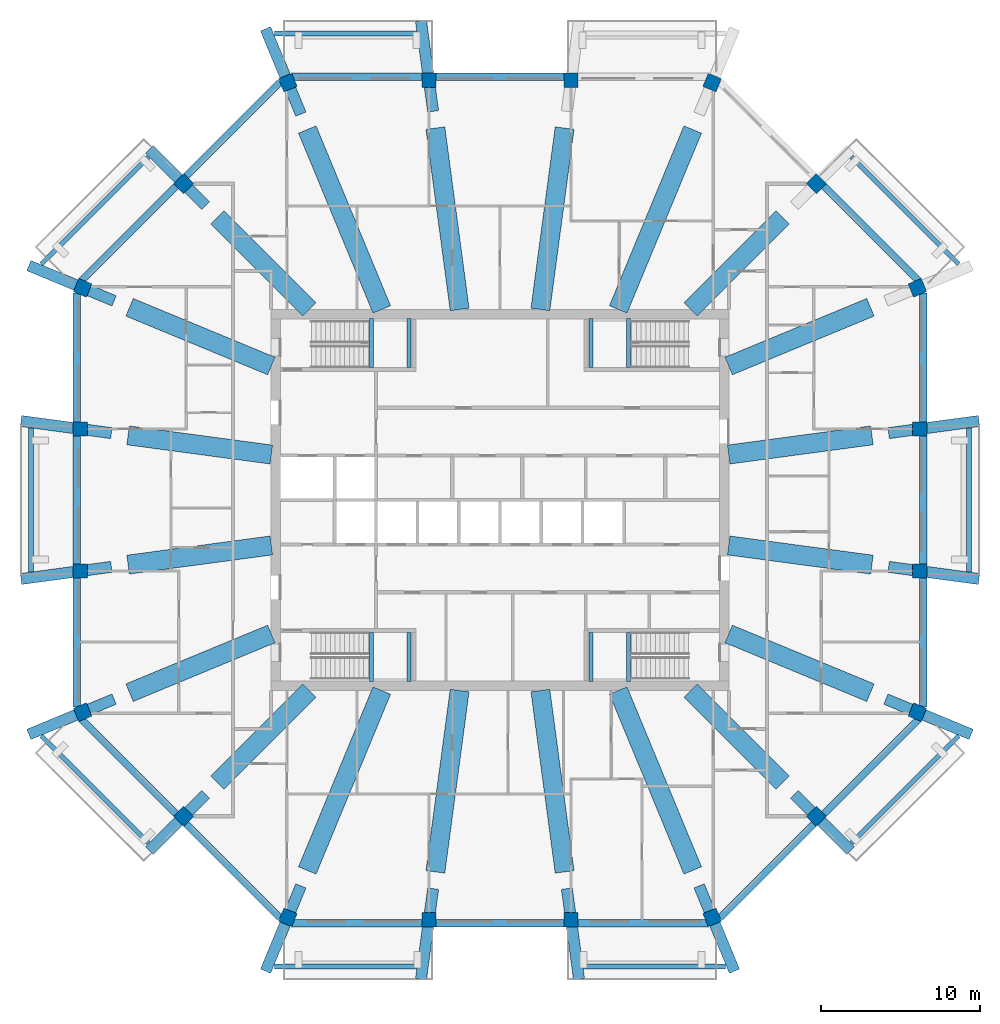
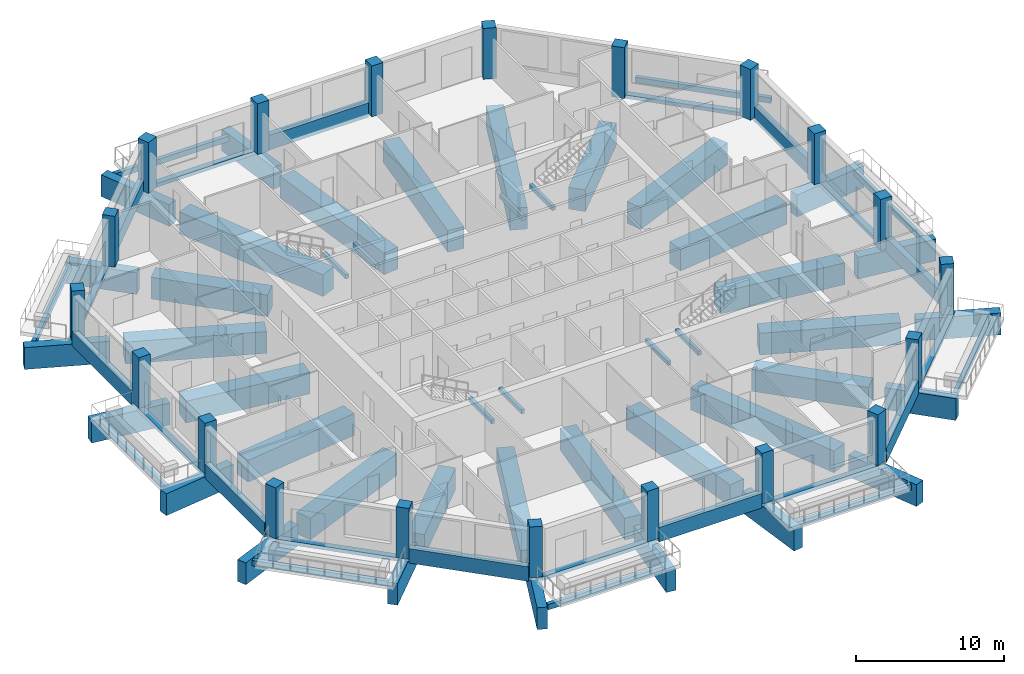
# One storey, part 1 of 12: 71 beams, 20 columns.
"""IFC4 building model written with IfcOpenShell, lengths in metres."""

from ifc_helpers import new_model, si_unit, direction, frame, origin, origin_2d, place, context, subcontext, project, spatial, rectangle, extrude, material, material_profile, profile_set, type_object, element, save


model = new_model("IFC4")

# Units and contexts
model_context = context("Model", 3, precision=1e-05, world=origin(), true_north=direction((0.0, 1.0)))
body_context = subcontext(model_context, "Body", "Model", "MODEL_VIEW")
ifc_project = project(units=[si_unit("LENGTHUNIT", "METRE"), si_unit("AREAUNIT", "SQUARE_METRE"), si_unit("VOLUMEUNIT", "CUBIC_METRE"), si_unit("PLANEANGLEUNIT", "RADIAN"), si_unit("MASSUNIT", "GRAM", prefix="KILO")], contexts=[model_context])

# Site, building, storey
site_placement = place(None, origin())
site = spatial("IfcSite", under=ifc_project, at=site_placement, CompositionType="ELEMENT")
building_placement = place(site_placement, origin())
building = spatial("IfcBuilding", under=site, at=building_placement, Name="Msitu Wima Residences", CompositionType="ELEMENT")
storey_placement = place(building_placement, frame((0.0, 0.0, 213.89990234375)))
storey = spatial("IfcBuildingStorey", under=building, at=storey_placement, Name="L49", CompositionType="ELEMENT", Elevation=213.89990234375)

# Columns
ifc_material_1 = material(Name="Concrete C50/60", Category="concrete")
ifc_material_profile_1 = material_profile(ifc_material_1, rectangle(XDim=0.89990234375, YDim=0.89990234375, at=origin_2d()), Name="RC 900x900")
ifc_profile_set_1 = profile_set([ifc_material_profile_1], Name="Concrete C50/60")
column_type = type_object("IfcColumnType", Name="Column RC 900x900 Concrete C50/60", PredefinedType="COLUMN", material=ifc_profile_set_1)
for number, where, z_axis, x_axis, name in (
    (1, (26.261962890625, -13.3486328125, 0.0), (0.0, 0.0, 1.0), (0.382683496864, 0.923879505795, 0.0), "Column L49 C-E0"),
    (2, (26.39990234375, -4.46875, 0.0), (0.0, 0.0, 1.0), (0.0, 1.0, 0.0), "Column L49 C-E1"),
    (3, (26.39990234375, 4.46875, 0.0), (0.0, 0.0, 1.0), (0.0, 1.0, 0.0), "Column L49 C-E2"),
    (4, (26.261962890625, 13.3486328125, 0.0), (0.0, 0.0, 1.0), (-0.382683496864, 0.923879505795, 0.0), "Column L49 C-NE0"),
    (5, (19.90283203125, 19.90283203125, 0.0), (0.0, 0.0, 1.0), (-0.707106781187, 0.707106781187, 0.0), "Column L49 C-NE1"),
    (6, (13.3486328125, 26.261962890625, 0.0), (0.0, 0.0, 1.0), (-0.923879505795, 0.382683496864, 0.0), "Column L49 C-N0"),
    (7, (4.46875, 26.39990234375, 0.0), (0.0, 0.0, 1.0), (-1.0, 0.0, 0.0), "Column L49 C-N1"),
    (8, (-4.46875, 26.39990234375, 0.0), (0.0, 0.0, 1.0), (-1.0, 0.0, 0.0), "Column L49 C-N2"),
    (9, (-13.3486328125, 26.261962890625, 0.0), (0.0, 0.0, 1.0), (-0.923879505795, -0.382683496864, 0.0), "Column L49 C-NW0"),
    (10, (-19.90283203125, 19.90283203125, 0.0), (0.0, 0.0, 1.0), (-0.707106781187, -0.707106781187, 0.0), "Column L49 C-NW1"),
    (11, (-26.261962890625, 13.3486328125, 0.0), (0.0, 0.0, 1.0), (-0.382683496864, -0.923879505795, 0.0), "Column L49 C-W0"),
    (12, (-26.39990234375, 4.46875, 0.0), (0.0, 0.0, 1.0), (0.0, -1.0, 0.0), "Column L49 C-W1"),
    (13, (-26.39990234375, -4.46875, 0.0), (0.0, 0.0, 1.0), (0.0, -1.0, 0.0), "Column L49 C-W2"),
    (14, (-26.261962890625, -13.3486328125, 0.0), (0.0, 0.0, 1.0), (0.382683496864, -0.923879505795, 0.0), "Column L49 C-SW0"),
    (15, (-19.90283203125, -19.90283203125, 0.0), (0.0, 0.0, 1.0), (0.707106781187, -0.707106781187, 0.0), "Column L49 C-SW1"),
    (16, (-13.3486328125, -26.261962890625, 0.0), (0.0, 0.0, 1.0), (0.923879505795, -0.382683496864, 0.0), "Column L49 C-S0"),
    (17, (-4.46875, -26.39990234375, 0.0), (0.0, 0.0, 1.0), (1.0, 0.0, 0.0), "Column L49 C-S1"),
    (18, (4.46875, -26.39990234375, 0.0), (0.0, 0.0, 1.0), (1.0, 0.0, 0.0), "Column L49 C-S2"),
    (19, (13.3486328125, -26.261962890625, 0.0), (0.0, 0.0, 1.0), (0.923879505795, 0.382683496864, 0.0), "Column L49 C-SE0"),
    (20, (19.90283203125, -19.90283203125, 0.0), (0.0, 0.0, 1.0), (0.707106781187, 0.707106781187, 0.0), "Column L49 C-SE1"),
):
    element("IfcColumn", number, at=place(storey_placement, frame(where, z_axis=z_axis, x_axis=x_axis)), inside=storey, type_object=column_type, Name=name, PredefinedType="COLUMN", context=body_context, shape_type="SweptSolid", body=[
        extrude(rectangle(XDim=0.89990234375, YDim=0.89990234375, at=origin_2d()), origin(), (0.0, 0.0, 1.0), 4.2001953125),
    ])

# Beams
ifc_material_profile_2 = material_profile(ifc_material_1, rectangle(XDim=0.300048828125, YDim=0.449951171875, at=origin_2d()), Name="RC 300x450")
ifc_profile_set_2 = profile_set([ifc_material_profile_2], Name="Concrete C50/60")
beam_type_1 = type_object("IfcBeamType", Name="Balcony tip beam RC 300x450 Concrete C50/60", PredefinedType="BEAM", material=ifc_profile_set_2)
beam_1_placement = place(storey_placement, frame((29.5, -4.5234375, -0.52490234375), z_axis=(0.0, 1.0, 0.0), x_axis=(-1.0, 0.0, 0.0)))
element("IfcBeam", 21, at=beam_1_placement, inside=storey, type_object=beam_type_1, Name="Balcony tip beam L49 BA-E1", PredefinedType="BEAM", context=body_context, shape_type="SweptSolid", body=[
    extrude(rectangle(XDim=0.300048828125, YDim=0.449951171875, at=origin_2d()), origin(), (0.0, 0.0, 1.0), 9.046875),
])
beam_2_placement = place(storey_placement, frame((28.84912109375, 14.84716796875, -0.52490234375), z_axis=(-0.707106781187, 0.707106781187, 0.0), x_axis=(-0.707106781187, -0.707106781187, 0.0)))
element("IfcBeam", 22, at=beam_2_placement, inside=storey, type_object=beam_type_1, Name="Balcony tip beam L49 BA-NE0", PredefinedType="BEAM", context=body_context, shape_type="SweptSolid", body=[
    extrude(rectangle(XDim=0.300048828125, YDim=0.449951171875, at=origin_2d()), origin(), (0.0, 0.0, 1.0), 9.508056640625),
])
beam_3_placement = place(storey_placement, frame((-5.2587890625, 29.343505859375, -0.52490234375), z_axis=(-1.0, 0.0, 0.0), x_axis=(0.0, -1.0, 0.0)))
element("IfcBeam", 23, at=beam_3_placement, inside=storey, type_object=beam_type_1, Name="Balcony tip beam L49 BA-N2", PredefinedType="BEAM", context=body_context, shape_type="SweptSolid", body=[
    extrude(rectangle(XDim=0.300048828125, YDim=0.449951171875, at=origin_2d()), origin(), (0.0, 0.0, 1.0), 8.939453125),
])
beam_4_placement = place(storey_placement, frame((-22.1259765625, 21.5703125, -0.52490234375), z_axis=(-0.707106781187, -0.707106781187, 0.0), x_axis=(0.707106781187, -0.707106781187, 0.0)))
element("IfcBeam", 24, at=beam_4_placement, inside=storey, type_object=beam_type_1, Name="Balcony tip beam L49 BA-NW1", PredefinedType="BEAM", context=body_context, shape_type="SweptSolid", body=[
    extrude(rectangle(XDim=0.300048828125, YDim=0.449951171875, at=origin_2d()), origin(), (0.0, 0.0, 1.0), 9.508056640625),
])
beam_5_placement = place(storey_placement, frame((-29.5, 4.5234375, -0.52490234375), z_axis=(0.0, -1.0, 0.0), x_axis=(1.0, 0.0, 0.0)))
element("IfcBeam", 25, at=beam_5_placement, inside=storey, type_object=beam_type_1, Name="Balcony tip beam L49 BA-W1", PredefinedType="BEAM", context=body_context, shape_type="SweptSolid", body=[
    extrude(rectangle(XDim=0.300048828125, YDim=0.449951171875, at=origin_2d()), origin(), (0.0, 0.0, 1.0), 9.046875),
])
beam_6_placement = place(storey_placement, frame((-28.84912109375, -14.84716796875, -0.52490234375), z_axis=(0.707106781187, -0.707106781187, 0.0), x_axis=(0.707106781187, 0.707106781187, 0.0)))
element("IfcBeam", 26, at=beam_6_placement, inside=storey, type_object=beam_type_1, Name="Balcony tip beam L49 BA-SW0", PredefinedType="BEAM", context=body_context, shape_type="SweptSolid", body=[
    extrude(rectangle(XDim=0.300048828125, YDim=0.449951171875, at=origin_2d()), origin(), (0.0, 0.0, 1.0), 9.508056640625),
])
for number, where, z_axis, x_axis, name in (
    (27, (-14.1982421875, -29.343505859375, -0.52490234375), (1.0, 0.0, 0.0), (0.0, 1.0, 0.0), "Balcony tip beam L49 BA-S0"),
    (28, (5.2587890625, -29.343505859375, -0.52490234375), (1.0, 0.0, 0.0), (0.0, 1.0, 0.0), "Balcony tip beam L49 BA-S2"),
):
    element("IfcBeam", number, at=place(storey_placement, frame(where, z_axis=z_axis, x_axis=x_axis)), inside=storey, type_object=beam_type_1, Name=name, PredefinedType="BEAM", context=body_context, shape_type="SweptSolid", body=[
        extrude(rectangle(XDim=0.300048828125, YDim=0.449951171875, at=origin_2d()), origin(), (0.0, 0.0, 1.0), 8.939453125),
    ])
beam_7_placement = place(storey_placement, frame((22.1259765625, -21.5703125, -0.52490234375), z_axis=(0.707106781187, 0.707106781187, 0.0), x_axis=(-0.707106781187, 0.707106781187, 0.0)))
element("IfcBeam", 29, at=beam_7_placement, inside=storey, type_object=beam_type_1, Name="Balcony tip beam L49 BA-SE1", PredefinedType="BEAM", context=body_context, shape_type="SweptSolid", body=[
    extrude(rectangle(XDim=0.300048828125, YDim=0.449951171875, at=origin_2d()), origin(), (0.0, 0.0, 1.0), 9.508056640625),
])
ifc_material_2 = material(Name="Concrete C80/95", Category="concrete")
ifc_material_profile_3 = material_profile(ifc_material_2, rectangle(XDim=0.699951171875, YDim=1.800048828125, at=origin_2d()), Name="RC 700x1800")
ifc_profile_set_3 = profile_set([ifc_material_profile_3], Name="Concrete C80/95")
beam_type_2 = type_object("IfcBeamType", Name="Cantilever girder RC 700x1800 Concrete C80/95", PredefinedType="BEAM", material=ifc_profile_set_3)
beam_8_placement = place(storey_placement, frame((24.27783203125, -12.52685546875, -1.14990234375), z_axis=(0.923873374647, -0.382698298425, 0.0), x_axis=(0.382698298425, 0.923873374647, 0.0)))
element("IfcBeam", 30, at=beam_8_placement, inside=storey, type_object=beam_type_2, Name="Cantilever girder L49-BA-SE1-B", PredefinedType="BEAM", context=body_context, shape_type="SweptSolid", body=[
    extrude(rectangle(XDim=0.699951171875, YDim=1.800048828125, at=origin_2d()), origin(), (0.0, 0.0, 1.0), 5.807861328125),
])
for number, where, z_axis, x_axis, name in (
    (31, (24.449951171875, -4.20751953125, -1.14990234375), (0.991153743385, -0.132718713727, 0.0), (0.132718713727, 0.991153743385, 0.0), "Cantilever girder L49-BA-E1-A"),
    (32, (24.449951171875, 4.20751953125, -1.14990234375), (0.991153743385, 0.132718713727, 0.0), (-0.132718713727, 0.991153743385, 0.0), "Cantilever girder L49-BA-E1-B"),
    (33, (-4.20751953125, 24.449951171875, -1.14990234375), (-0.132718713727, 0.991153743385, 0.0), (-0.991153743385, -0.132718713727, 0.0), "Cantilever girder L49-BA-N2-A"),
):
    element("IfcBeam", number, at=place(storey_placement, frame(where, z_axis=z_axis, x_axis=x_axis)), inside=storey, type_object=beam_type_2, Name=name, PredefinedType="BEAM", context=body_context, shape_type="SweptSolid", body=[
        extrude(rectangle(XDim=0.699951171875, YDim=1.800048828125, at=origin_2d()), origin(), (0.0, 0.0, 1.0), 5.73388671875),
    ])
beam_9_placement = place(storey_placement, frame((-12.52685546875, 24.27783203125, -1.14990234375), z_axis=(-0.382662417828, 0.923888236738, 0.0), x_axis=(-0.923888236738, -0.382662417828, 0.0)))
element("IfcBeam", 34, at=beam_9_placement, inside=storey, type_object=beam_type_2, Name="Cantilever girder L49-BA-N2-B", PredefinedType="BEAM", context=body_context, shape_type="SweptSolid", body=[
    extrude(rectangle(XDim=0.699951171875, YDim=1.800048828125, at=origin_2d()), origin(), (0.0, 0.0, 1.0), 5.807861328125),
])
beam_10_placement = place(storey_placement, frame((-18.524169921875, 18.524169921875, -1.14990234375), z_axis=(-0.707106781187, 0.707106781187, 0.0), x_axis=(-0.707106781187, -0.707106781187, 0.0)))
element("IfcBeam", 35, at=beam_10_placement, inside=storey, type_object=beam_type_2, Name="Cantilever girder L49-BA-NW1-A", PredefinedType="BEAM", context=body_context, shape_type="SweptSolid", body=[
    extrude(rectangle(XDim=0.699951171875, YDim=1.800048828125, at=origin_2d()), origin(), (0.0, 0.0, 1.0), 5.000732421875),
])
beam_11_placement = place(storey_placement, frame((-24.27783203125, 12.52685546875, -1.14990234375), z_axis=(-0.923873374647, 0.382698298425, 0.0), x_axis=(-0.382698298425, -0.923873374647, 0.0)))
element("IfcBeam", 36, at=beam_11_placement, inside=storey, type_object=beam_type_2, Name="Cantilever girder L49-BA-NW1-B", PredefinedType="BEAM", context=body_context, shape_type="SweptSolid", body=[
    extrude(rectangle(XDim=0.699951171875, YDim=1.800048828125, at=origin_2d()), origin(), (0.0, 0.0, 1.0), 5.807861328125),
])
for number, where, z_axis, x_axis, name in (
    (37, (-24.449951171875, 4.20751953125, -1.14990234375), (-0.991153743385, 0.132718713727, 0.0), (-0.132718713727, -0.991153743385, 0.0), "Cantilever girder L49-BA-W1-A"),
    (38, (-24.449951171875, -4.20751953125, -1.14990234375), (-0.991153743385, -0.132718713727, 0.0), (0.132718713727, -0.991153743385, 0.0), "Cantilever girder L49-BA-W1-B"),
):
    element("IfcBeam", number, at=place(storey_placement, frame(where, z_axis=z_axis, x_axis=x_axis)), inside=storey, type_object=beam_type_2, Name=name, PredefinedType="BEAM", context=body_context, shape_type="SweptSolid", body=[
        extrude(rectangle(XDim=0.699951171875, YDim=1.800048828125, at=origin_2d()), origin(), (0.0, 0.0, 1.0), 5.73388671875),
    ])
beam_12_placement = place(storey_placement, frame((-24.27783203125, -12.52685546875, -1.14990234375), z_axis=(-0.923873374647, -0.382698298425, 0.0), x_axis=(0.382698298425, -0.923873374647, 0.0)))
element("IfcBeam", 39, at=beam_12_placement, inside=storey, type_object=beam_type_2, Name="Cantilever girder L49-BA-SW0-A", PredefinedType="BEAM", context=body_context, shape_type="SweptSolid", body=[
    extrude(rectangle(XDim=0.699951171875, YDim=1.800048828125, at=origin_2d()), origin(), (0.0, 0.0, 1.0), 5.807861328125),
])
beam_13_placement = place(storey_placement, frame((-18.524169921875, -18.524169921875, -1.14990234375), z_axis=(-0.707106781187, -0.707106781187, 0.0), x_axis=(0.707106781187, -0.707106781187, 0.0)))
element("IfcBeam", 40, at=beam_13_placement, inside=storey, type_object=beam_type_2, Name="Cantilever girder L49-BA-SW0-B", PredefinedType="BEAM", context=body_context, shape_type="SweptSolid", body=[
    extrude(rectangle(XDim=0.699951171875, YDim=1.800048828125, at=origin_2d()), origin(), (0.0, 0.0, 1.0), 5.000732421875),
])
beam_14_placement = place(storey_placement, frame((-12.52685546875, -24.27783203125, -1.14990234375), z_axis=(-0.382662417828, -0.923888236738, 0.0), x_axis=(0.923888236738, -0.382662417828, 0.0)))
element("IfcBeam", 41, at=beam_14_placement, inside=storey, type_object=beam_type_2, Name="Cantilever girder L49-BA-S0-A", PredefinedType="BEAM", context=body_context, shape_type="SweptSolid", body=[
    extrude(rectangle(XDim=0.699951171875, YDim=1.800048828125, at=origin_2d()), origin(), (0.0, 0.0, 1.0), 5.807861328125),
])
for number, where, z_axis, x_axis, name in (
    (42, (-4.20751953125, -24.449951171875, -1.14990234375), (-0.132718713727, -0.991153743385, 0.0), (0.991153743385, -0.132718713727, 0.0), "Cantilever girder L49-BA-S0-B"),
    (43, (4.20751953125, -24.449951171875, -1.14990234375), (0.132718713727, -0.991153743385, 0.0), (0.991153743385, 0.132718713727, 0.0), "Cantilever girder L49-BA-S2-A"),
):
    element("IfcBeam", number, at=place(storey_placement, frame(where, z_axis=z_axis, x_axis=x_axis)), inside=storey, type_object=beam_type_2, Name=name, PredefinedType="BEAM", context=body_context, shape_type="SweptSolid", body=[
        extrude(rectangle(XDim=0.699951171875, YDim=1.800048828125, at=origin_2d()), origin(), (0.0, 0.0, 1.0), 5.73388671875),
    ])
beam_15_placement = place(storey_placement, frame((12.52685546875, -24.27783203125, -1.14990234375), z_axis=(0.382662417828, -0.923888236738, 0.0), x_axis=(0.923888236738, 0.382662417828, 0.0)))
element("IfcBeam", 44, at=beam_15_placement, inside=storey, type_object=beam_type_2, Name="Cantilever girder L49-BA-S2-B", PredefinedType="BEAM", context=body_context, shape_type="SweptSolid", body=[
    extrude(rectangle(XDim=0.699951171875, YDim=1.800048828125, at=origin_2d()), origin(), (0.0, 0.0, 1.0), 5.807861328125),
])
beam_16_placement = place(storey_placement, frame((18.524169921875, -18.524169921875, -1.14990234375), z_axis=(0.707106781187, -0.707106781187, 0.0), x_axis=(0.707106781187, 0.707106781187, 0.0)))
element("IfcBeam", 45, at=beam_16_placement, inside=storey, type_object=beam_type_2, Name="Cantilever girder L49-BA-SE1-A", PredefinedType="BEAM", context=body_context, shape_type="SweptSolid", body=[
    extrude(rectangle(XDim=0.699951171875, YDim=1.800048828125, at=origin_2d()), origin(), (0.0, 0.0, 1.0), 5.000732421875),
])
ifc_material_profile_4 = material_profile(ifc_material_1, rectangle(XDim=0.449951171875, YDim=0.300048828125, at=origin_2d()), Name="RC 450x300")
ifc_profile_set_4 = profile_set([ifc_material_profile_4], Name="Concrete C50/60")
beam_type_3 = type_object("IfcBeamType", Name="Edge beam RC 450x300 Concrete C50/60", PredefinedType="SPANDREL", material=ifc_profile_set_4)
beam_17_placement = place(storey_placement, frame((26.625, -4.15771484375, -0.14990234375), z_axis=(0.0, 1.0, 0.0), x_axis=(-1.0, 0.0, 0.0)))
element("IfcBeam", 46, at=beam_17_placement, inside=storey, type_object=beam_type_3, Name="Spandrel L49 E1", PredefinedType="SPANDREL", context=body_context, shape_type="SweptSolid", body=[
    extrude(rectangle(XDim=0.449951171875, YDim=0.300048828125, at=origin_2d()), origin(), (0.0, 0.0, 1.0), 8.3154296875),
])
beam_18_placement = place(storey_placement, frame((26.36572265625, 13.758544921875, -0.14990234375), z_axis=(-0.707121013985, 0.707092548102, 0.0), x_axis=(-0.707092548102, -0.707121013985, 0.0)))
element("IfcBeam", 47, at=beam_18_placement, inside=storey, type_object=beam_type_3, Name="Spandrel L49 NE0", PredefinedType="SPANDREL", context=body_context, shape_type="SweptSolid", body=[
    extrude(rectangle(XDim=0.449951171875, YDim=0.300048828125, at=origin_2d()), origin(), (0.0, 0.0, 1.0), 8.57666015625),
])
beam_19_placement = place(storey_placement, frame((-4.83984375, 26.625, -0.14990234375), z_axis=(-1.0, 0.0, 0.0), x_axis=(0.0, -1.0, 0.0)))
element("IfcBeam", 48, at=beam_19_placement, inside=storey, type_object=beam_type_3, Name="Spandrel L49 N2", PredefinedType="SPANDREL", context=body_context, shape_type="SweptSolid", body=[
    extrude(rectangle(XDim=0.449951171875, YDim=0.300048828125, at=origin_2d()), origin(), (0.0, 0.0, 1.0), 8.29248046875),
])
beam_20_placement = place(storey_placement, frame((-20.301025390625, 19.822998046875, -0.14990234375), z_axis=(-0.707121013985, -0.707092548102, 0.0), x_axis=(0.707092548102, -0.707121013985, 0.0)))
element("IfcBeam", 49, at=beam_20_placement, inside=storey, type_object=beam_type_3, Name="Spandrel L49 NW1", PredefinedType="SPANDREL", context=body_context, shape_type="SweptSolid", body=[
    extrude(rectangle(XDim=0.449951171875, YDim=0.300048828125, at=origin_2d()), origin(), (0.0, 0.0, 1.0), 8.57666015625),
])
beam_21_placement = place(storey_placement, frame((-26.625, 4.15771484375, -0.14990234375), z_axis=(0.0, -1.0, 0.0), x_axis=(1.0, 0.0, 0.0)))
element("IfcBeam", 50, at=beam_21_placement, inside=storey, type_object=beam_type_3, Name="Spandrel L49 W1", PredefinedType="SPANDREL", context=body_context, shape_type="SweptSolid", body=[
    extrude(rectangle(XDim=0.449951171875, YDim=0.300048828125, at=origin_2d()), origin(), (0.0, 0.0, 1.0), 8.3154296875),
])
beam_22_placement = place(storey_placement, frame((-26.36572265625, -13.758544921875, -0.14990234375), z_axis=(0.707121013985, -0.707092548102, 0.0), x_axis=(0.707092548102, 0.707121013985, 0.0)))
element("IfcBeam", 51, at=beam_22_placement, inside=storey, type_object=beam_type_3, Name="Spandrel L49 SW0", PredefinedType="SPANDREL", context=body_context, shape_type="SweptSolid", body=[
    extrude(rectangle(XDim=0.449951171875, YDim=0.300048828125, at=origin_2d()), origin(), (0.0, 0.0, 1.0), 8.57666015625),
])
for number, where, z_axis, x_axis, name in (
    (52, (-13.13232421875, -26.625, -0.14990234375), (1.0, 0.0, 0.0), (0.0, 1.0, 0.0), "Spandrel L49 S0"),
    (53, (4.83984375, -26.625, -0.14990234375), (1.0, 0.0, 0.0), (0.0, 1.0, 0.0), "Spandrel L49 S2"),
):
    element("IfcBeam", number, at=place(storey_placement, frame(where, z_axis=z_axis, x_axis=x_axis)), inside=storey, type_object=beam_type_3, Name=name, PredefinedType="SPANDREL", context=body_context, shape_type="SweptSolid", body=[
        extrude(rectangle(XDim=0.449951171875, YDim=0.300048828125, at=origin_2d()), origin(), (0.0, 0.0, 1.0), 8.29248046875),
    ])
beam_23_placement = place(storey_placement, frame((20.301025390625, -19.822998046875, -0.14990234375), z_axis=(0.707121013985, 0.707092548102, 0.0), x_axis=(-0.707092548102, 0.707121013985, 0.0)))
element("IfcBeam", 54, at=beam_23_placement, inside=storey, type_object=beam_type_3, Name="Spandrel L49 SE1", PredefinedType="SPANDREL", context=body_context, shape_type="SweptSolid", body=[
    extrude(rectangle(XDim=0.449951171875, YDim=0.300048828125, at=origin_2d()), origin(), (0.0, 0.0, 1.0), 8.57666015625),
])
ifc_material_3 = material(Name="Concrete C40/50", Category="concrete")
ifc_material_profile_5 = material_profile(ifc_material_3, rectangle(XDim=0.25, YDim=0.35009765625, at=origin_2d()), Name="RC 250x350")
ifc_profile_set_5 = profile_set([ifc_material_profile_5], Name="Concrete C40/50")
beam_type_4 = type_object("IfcBeamType", Name="Landing beam RC 250x350", PredefinedType="BEAM", material=ifc_profile_set_5)
for number, where, z_axis, x_axis, name in (
    (55, (-8.074951171875, 8.324951171875, 1.72509765625), (0.0, 1.0, 0.0), (-1.0, 0.0, 0.0), "Stair 1 landing beam"),
    (56, (-5.72509765625, 8.324951171875, 1.72509765625), (0.0, 1.0, 0.0), (-1.0, 0.0, 0.0), "Stair 1 landing beam"),
    (57, (-8.074951171875, -11.425048828125, 1.72509765625), (0.0, 1.0, 0.0), (-1.0, 0.0, 0.0), "Stair 2 landing beam"),
    (58, (-5.72509765625, -11.425048828125, 1.72509765625), (0.0, 1.0, 0.0), (-1.0, 0.0, 0.0), "Stair 2 landing beam"),
    (59, (8.074951171875, 8.324951171875, 1.72509765625), (0.0, 1.0, 0.0), (-1.0, 0.0, 0.0), "Stair 3 landing beam"),
    (60, (5.72509765625, 8.324951171875, 1.72509765625), (0.0, 1.0, 0.0), (-1.0, 0.0, 0.0), "Stair 3 landing beam"),
    (61, (8.074951171875, -11.425048828125, 1.72509765625), (0.0, 1.0, 0.0), (-1.0, 0.0, 0.0), "Stair 4 landing beam"),
    (62, (5.72509765625, -11.425048828125, 1.72509765625), (0.0, 1.0, 0.0), (-1.0, 0.0, 0.0), "Stair 4 landing beam"),
):
    element("IfcBeam", number, at=place(storey_placement, frame(where, z_axis=z_axis, x_axis=x_axis)), inside=storey, type_object=beam_type_4, Name=name, PredefinedType="BEAM", context=body_context, shape_type="SweptSolid", body=[
        extrude(rectangle(XDim=0.25, YDim=0.35009765625, at=origin_2d()), origin(), (0.0, 0.0, 1.0), 3.10009765625),
    ])
ifc_material_profile_6 = material_profile(ifc_material_1, rectangle(XDim=0.449951171875, YDim=1.199951171875, at=origin_2d()), Name="RC 450x1200")
ifc_profile_set_6 = profile_set([ifc_material_profile_6], Name="Concrete C50/60")
beam_type_5 = type_object("IfcBeamType", Name="Spandrel RC 450x1200 Concrete C50/60", PredefinedType="SPANDREL", material=ifc_profile_set_6)
for number, where, z_axis, x_axis, name in (
    (63, (26.625, -13.02392578125, 0.300048828125), (0.0, 1.0, 0.0), (-1.0, 0.0, 0.0), "Spandrel L49 E0"),
    (64, (26.625, 4.918701171875, 0.300048828125), (0.0, 1.0, 0.0), (-1.0, 0.0, 0.0), "Spandrel L49 E2"),
):
    element("IfcBeam", number, at=place(storey_placement, frame(where, z_axis=z_axis, x_axis=x_axis)), inside=storey, type_object=beam_type_5, Name=name, PredefinedType="SPANDREL", context=body_context, shape_type="SweptSolid", body=[
        extrude(rectangle(XDim=0.449951171875, YDim=1.199951171875, at=origin_2d()), origin(), (0.0, 0.0, 1.0), 8.105224609375),
    ])
beam_24_placement = place(storey_placement, frame((4.0185546875, 26.625, 0.300048828125), z_axis=(-1.0, 0.0, 0.0), x_axis=(0.0, -1.0, 0.0)))
element("IfcBeam", 65, at=beam_24_placement, inside=storey, type_object=beam_type_5, Name="Spandrel L49 N1", PredefinedType="SPANDREL", context=body_context, shape_type="SweptSolid", body=[
    extrude(rectangle(XDim=0.449951171875, YDim=1.199951171875, at=origin_2d()), origin(), (0.0, 0.0, 1.0), 8.037109375),
])
beam_25_placement = place(storey_placement, frame((-13.8349609375, 26.2890625, 0.300048828125), z_axis=(-0.707106781187, -0.707106781187, 0.0), x_axis=(0.707106781187, -0.707106781187, 0.0)))
element("IfcBeam", 66, at=beam_25_placement, inside=storey, type_object=beam_type_5, Name="Spandrel L49 NW0", PredefinedType="SPANDREL", context=body_context, shape_type="SweptSolid", body=[
    extrude(rectangle(XDim=0.449951171875, YDim=1.199951171875, at=origin_2d()), origin(), (0.0, 0.0, 1.0), 8.3564453125),
])
for number, where, z_axis, x_axis, name in (
    (67, (-26.625, 13.02392578125, 0.300048828125), (0.0, -1.0, 0.0), (1.0, 0.0, 0.0), "Spandrel L49 W0"),
    (68, (-26.625, -4.918701171875, 0.300048828125), (0.0, -1.0, 0.0), (1.0, 0.0, 0.0), "Spandrel L49 W2"),
):
    element("IfcBeam", number, at=place(storey_placement, frame(where, z_axis=z_axis, x_axis=x_axis)), inside=storey, type_object=beam_type_5, Name=name, PredefinedType="SPANDREL", context=body_context, shape_type="SweptSolid", body=[
        extrude(rectangle(XDim=0.449951171875, YDim=1.199951171875, at=origin_2d()), origin(), (0.0, 0.0, 1.0), 8.105224609375),
    ])
beam_26_placement = place(storey_placement, frame((-19.743896484375, -20.380126953125, 0.300048828125), z_axis=(0.707106781187, -0.707106781187, 0.0), x_axis=(0.707106781187, 0.707106781187, 0.0)))
element("IfcBeam", 69, at=beam_26_placement, inside=storey, type_object=beam_type_5, Name="Spandrel L49 SW1", PredefinedType="SPANDREL", context=body_context, shape_type="SweptSolid", body=[
    extrude(rectangle(XDim=0.449951171875, YDim=1.199951171875, at=origin_2d()), origin(), (0.0, 0.0, 1.0), 8.3564453125),
])
beam_27_placement = place(storey_placement, frame((-4.0185546875, -26.625, 0.300048828125), z_axis=(1.0, 0.0, 0.0), x_axis=(0.0, 1.0, 0.0)))
element("IfcBeam", 70, at=beam_27_placement, inside=storey, type_object=beam_type_5, Name="Spandrel L49 S1", PredefinedType="SPANDREL", context=body_context, shape_type="SweptSolid", body=[
    extrude(rectangle(XDim=0.449951171875, YDim=1.199951171875, at=origin_2d()), origin(), (0.0, 0.0, 1.0), 8.037109375),
])
beam_28_placement = place(storey_placement, frame((13.8349609375, -26.2890625, 0.300048828125), z_axis=(0.707106781187, 0.707106781187, 0.0), x_axis=(-0.707106781187, 0.707106781187, 0.0)))
element("IfcBeam", 71, at=beam_28_placement, inside=storey, type_object=beam_type_5, Name="Spandrel L49 SE0", PredefinedType="SPANDREL", context=body_context, shape_type="SweptSolid", body=[
    extrude(rectangle(XDim=0.449951171875, YDim=1.199951171875, at=origin_2d()), origin(), (0.0, 0.0, 1.0), 8.3564453125),
])
ifc_material_profile_7 = material_profile(ifc_material_2, rectangle(XDim=1.199951171875, YDim=1.800048828125, at=origin_2d()), Name="RC 1200x1800")
ifc_profile_set_7 = profile_set([ifc_material_profile_7], Name="Concrete C80/95")
beam_type_6 = type_object("IfcBeamType", Name="Transfer girder TG5 RC 1200x1800 Concrete C80/95", PredefinedType="BEAM", material=ifc_profile_set_7)
beam_29_placement = place(storey_placement, frame((23.3076171875, -12.125, -1.14990234375), z_axis=(-0.923876274639, 0.382691297469, 0.0), x_axis=(-0.382691297469, -0.923876274639, 0.0)))
element("IfcBeam", 72, at=beam_29_placement, inside=storey, type_object=beam_type_6, Name="Transfer girder L49 C-E0", PredefinedType="BEAM", context=body_context, shape_type="SweptSolid", body=[
    extrude(rectangle(XDim=1.199951171875, YDim=1.800048828125, at=origin_2d()), origin(), (0.0, 0.0, 1.0), 9.653564453125),
])
for number, where, z_axis, x_axis, name in (
    (73, (23.39990234375, -4.06689453125, -1.14990234375), (-0.991155993253, 0.132701910453, 0.0), (-0.132701910453, -0.991155993253, 0.0), "Transfer girder L49 C-E1"),
    (74, (23.39990234375, 4.06689453125, -1.14990234375), (-0.991155993253, -0.132701910453, 0.0), (0.132701910453, -0.991155993253, 0.0), "Transfer girder L49 C-E2"),
):
    element("IfcBeam", number, at=place(storey_placement, frame(where, z_axis=z_axis, x_axis=x_axis)), inside=storey, type_object=beam_type_6, Name=name, PredefinedType="BEAM", context=body_context, shape_type="SweptSolid", body=[
        extrude(rectangle(XDim=1.199951171875, YDim=1.800048828125, at=origin_2d()), origin(), (0.0, 0.0, 1.0), 9.092041015625),
    ])
beam_30_placement = place(storey_placement, frame((23.3076171875, 12.125, -1.14990234375), z_axis=(-0.923876274639, -0.382691297469, 0.0), x_axis=(0.382691297469, -0.923876274639, 0.0)))
element("IfcBeam", 75, at=beam_30_placement, inside=storey, type_object=beam_type_6, Name="Transfer girder L49 C-NE0", PredefinedType="BEAM", context=body_context, shape_type="SweptSolid", body=[
    extrude(rectangle(XDim=1.199951171875, YDim=1.800048828125, at=origin_2d()), origin(), (0.0, 0.0, 1.0), 9.653564453125),
])
for number, where, z_axis, x_axis, name in (
    (76, (17.78173828125, 17.78173828125, -1.14990234375), (-0.707106781187, -0.707106781187, 0.0), (0.707106781187, -0.707106781187, 0.0), "Transfer girder L49 C-NE1"),
    (77, (-17.78173828125, 17.78173828125, -1.14990234375), (0.707106781187, -0.707106781187, 0.0), (0.707106781187, 0.707106781187, 0.0), "Transfer girder L49 C-NW1"),
):
    element("IfcBeam", number, at=place(storey_placement, frame(where, z_axis=z_axis, x_axis=x_axis)), inside=storey, type_object=beam_type_6, Name=name, PredefinedType="BEAM", context=body_context, shape_type="SweptSolid", body=[
        extrude(rectangle(XDim=1.199951171875, YDim=1.800048828125, at=origin_2d()), origin(), (0.0, 0.0, 1.0), 8.188720703125),
    ])
beam_31_placement = place(storey_placement, frame((-23.3076171875, 12.125, -1.14990234375), z_axis=(0.923876274639, -0.382691297469, 0.0), x_axis=(0.382691297469, 0.923876274639, 0.0)))
element("IfcBeam", 78, at=beam_31_placement, inside=storey, type_object=beam_type_6, Name="Transfer girder L49 C-W0", PredefinedType="BEAM", context=body_context, shape_type="SweptSolid", body=[
    extrude(rectangle(XDim=1.199951171875, YDim=1.800048828125, at=origin_2d()), origin(), (0.0, 0.0, 1.0), 9.653564453125),
])
for number, where, z_axis, x_axis, name in (
    (79, (-23.39990234375, 4.06689453125, -1.14990234375), (0.991155993253, -0.132701910453, 0.0), (0.132701910453, 0.991155993253, 0.0), "Transfer girder L49 C-W1"),
    (80, (-23.39990234375, -4.06689453125, -1.14990234375), (0.991155993253, 0.132701910453, 0.0), (-0.132701910453, 0.991155993253, 0.0), "Transfer girder L49 C-W2"),
):
    element("IfcBeam", number, at=place(storey_placement, frame(where, z_axis=z_axis, x_axis=x_axis)), inside=storey, type_object=beam_type_6, Name=name, PredefinedType="BEAM", context=body_context, shape_type="SweptSolid", body=[
        extrude(rectangle(XDim=1.199951171875, YDim=1.800048828125, at=origin_2d()), origin(), (0.0, 0.0, 1.0), 9.092041015625),
    ])
beam_32_placement = place(storey_placement, frame((-23.3076171875, -12.125, -1.14990234375), z_axis=(0.923876274639, 0.382691297469, 0.0), x_axis=(-0.382691297469, 0.923876274639, 0.0)))
element("IfcBeam", 81, at=beam_32_placement, inside=storey, type_object=beam_type_6, Name="Transfer girder L49 C-SW0", PredefinedType="BEAM", context=body_context, shape_type="SweptSolid", body=[
    extrude(rectangle(XDim=1.199951171875, YDim=1.800048828125, at=origin_2d()), origin(), (0.0, 0.0, 1.0), 9.653564453125),
])
for number, where, z_axis, x_axis, name in (
    (82, (-17.78173828125, -17.78173828125, -1.14990234375), (0.707106781187, 0.707106781187, 0.0), (-0.707106781187, 0.707106781187, 0.0), "Transfer girder L49 C-SW1"),
    (83, (17.78173828125, -17.78173828125, -1.14990234375), (-0.707106781187, 0.707106781187, 0.0), (-0.707106781187, -0.707106781187, 0.0), "Transfer girder L49 C-SE1"),
):
    element("IfcBeam", number, at=place(storey_placement, frame(where, z_axis=z_axis, x_axis=x_axis)), inside=storey, type_object=beam_type_6, Name=name, PredefinedType="BEAM", context=body_context, shape_type="SweptSolid", body=[
        extrude(rectangle(XDim=1.199951171875, YDim=1.800048828125, at=origin_2d()), origin(), (0.0, 0.0, 1.0), 8.188720703125),
    ])
ifc_material_profile_8 = material_profile(ifc_material_2, rectangle(XDim=1.199951171875, YDim=1.800048828125, at=origin_2d()), Name="RC 1200x1800")
ifc_profile_set_8 = profile_set([ifc_material_profile_8], Name="Concrete C80/95")
beam_type_7 = type_object("IfcBeamType", Name="Transfer girder TG6 RC 1200x1800 Concrete C80/95", PredefinedType="BEAM", material=ifc_profile_set_8)
beam_33_placement = place(storey_placement, frame((12.125, 23.3076171875, -1.14990234375), z_axis=(-0.382694404047, -0.923874987816, 0.0), x_axis=(0.923874987816, -0.382694404047, 0.0)))
element("IfcBeam", 84, at=beam_33_placement, inside=storey, type_object=beam_type_7, Name="Transfer girder L49 C-N0", PredefinedType="BEAM", context=body_context, shape_type="SweptSolid", body=[
    extrude(rectangle(XDim=1.199951171875, YDim=1.800048828125, at=origin_2d()), origin(), (0.0, 0.0, 1.0), 12.251220703125),
])
for number, where, z_axis, x_axis, name in (
    (85, (4.06689453125, 23.39990234375, -1.14990234375), (-0.13269705147, -0.991156643791, 0.0), (0.991156643791, -0.13269705147, 0.0), "Transfer girder L49 C-N1"),
    (86, (-4.06689453125, 23.39990234375, -1.14990234375), (0.13269705147, -0.991156643791, 0.0), (0.991156643791, 0.13269705147, 0.0), "Transfer girder L49 C-N2"),
):
    element("IfcBeam", number, at=place(storey_placement, frame(where, z_axis=z_axis, x_axis=x_axis)), inside=storey, type_object=beam_type_7, Name=name, PredefinedType="BEAM", context=body_context, shape_type="SweptSolid", body=[
        extrude(rectangle(XDim=1.199951171875, YDim=1.800048828125, at=origin_2d()), origin(), (0.0, 0.0, 1.0), 11.513671875),
    ])
for number, where, z_axis, x_axis, name in (
    (87, (-12.125, 23.3076171875, -1.14990234375), (0.382694404047, -0.923874987816, 0.0), (0.923874987816, 0.382694404047, 0.0), "Transfer girder L49 C-NW0"),
    (88, (-12.125, -23.3076171875, -1.14990234375), (0.382694404047, 0.923874987816, 0.0), (-0.923874987816, 0.382694404047, 0.0), "Transfer girder L49 C-S0"),
):
    element("IfcBeam", number, at=place(storey_placement, frame(where, z_axis=z_axis, x_axis=x_axis)), inside=storey, type_object=beam_type_7, Name=name, PredefinedType="BEAM", context=body_context, shape_type="SweptSolid", body=[
        extrude(rectangle(XDim=1.199951171875, YDim=1.800048828125, at=origin_2d()), origin(), (0.0, 0.0, 1.0), 12.251220703125),
    ])
for number, where, z_axis, x_axis, name in (
    (89, (-4.06689453125, -23.39990234375, -1.14990234375), (0.13269705147, 0.991156643791, 0.0), (-0.991156643791, 0.13269705147, 0.0), "Transfer girder L49 C-S1"),
    (90, (4.06689453125, -23.39990234375, -1.14990234375), (-0.13269705147, 0.991156643791, 0.0), (-0.991156643791, -0.13269705147, 0.0), "Transfer girder L49 C-S2"),
):
    element("IfcBeam", number, at=place(storey_placement, frame(where, z_axis=z_axis, x_axis=x_axis)), inside=storey, type_object=beam_type_7, Name=name, PredefinedType="BEAM", context=body_context, shape_type="SweptSolid", body=[
        extrude(rectangle(XDim=1.199951171875, YDim=1.800048828125, at=origin_2d()), origin(), (0.0, 0.0, 1.0), 11.513671875),
    ])
beam_34_placement = place(storey_placement, frame((12.125, -23.3076171875, -1.14990234375), z_axis=(-0.382694404047, 0.923874987816, 0.0), x_axis=(-0.923874987816, -0.382694404047, 0.0)))
element("IfcBeam", 91, at=beam_34_placement, inside=storey, type_object=beam_type_7, Name="Transfer girder L49 C-SE0", PredefinedType="BEAM", context=body_context, shape_type="SweptSolid", body=[
    extrude(rectangle(XDim=1.199951171875, YDim=1.800048828125, at=origin_2d()), origin(), (0.0, 0.0, 1.0), 12.251220703125),
])

save(model, "model.ifc")
